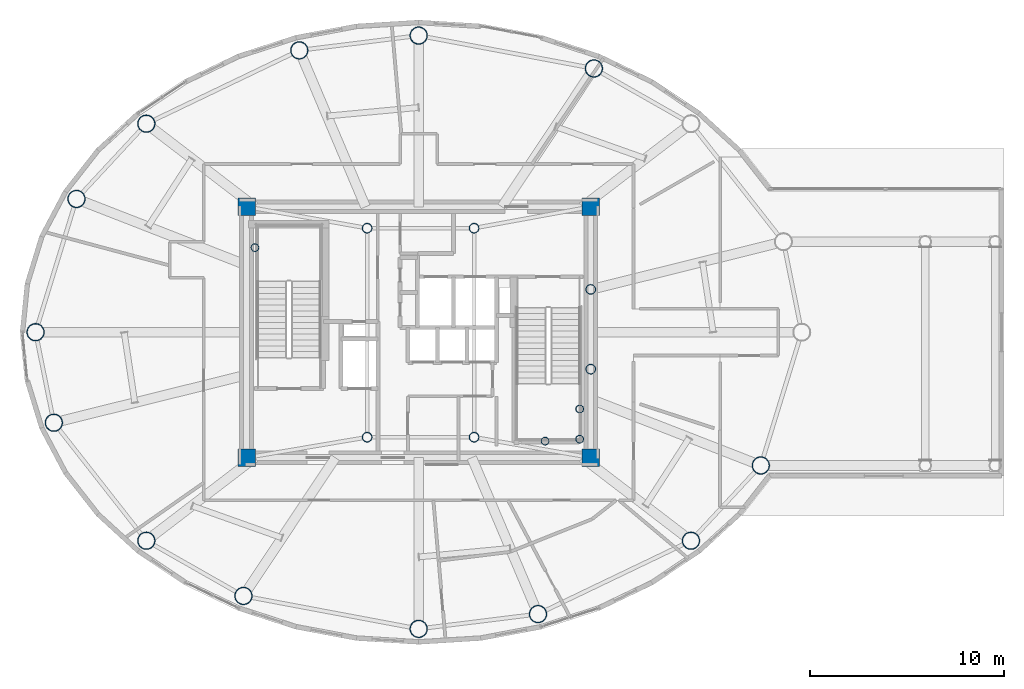
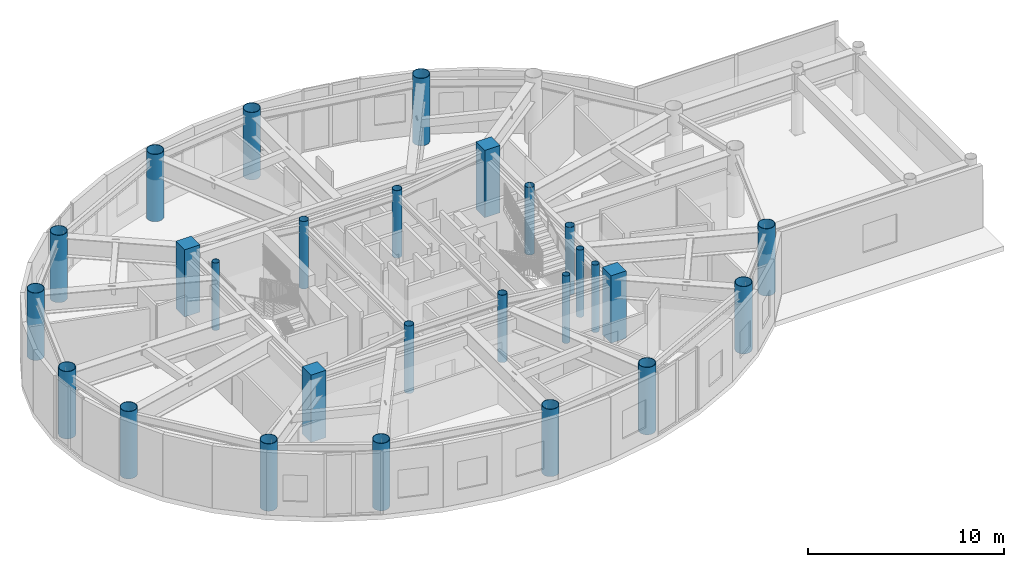
# One storey, part 1 of 26: 27 columns.
"""IFC4 building model written with IfcOpenShell, lengths in metres."""

from ifc_helpers import new_model, si_unit, direction, frame, origin, origin_2d, place, context, subcontext, project, spatial, rectangle, hollow_circle, extrude, material, material_profile, profile_set, type_object, element, save


model = new_model("IFC4")

# Units and contexts
model_context = context("Model", 3, precision=1e-05, world=origin(), true_north=direction((0.0, 1.0)))
body_context = subcontext(model_context, "Body", "Model", "MODEL_VIEW")
ifc_project = project(units=[si_unit("LENGTHUNIT", "METRE"), si_unit("AREAUNIT", "SQUARE_METRE"), si_unit("VOLUMEUNIT", "CUBIC_METRE"), si_unit("PLANEANGLEUNIT", "RADIAN"), si_unit("MASSUNIT", "GRAM", prefix="KILO")], contexts=[model_context])

# Site, building, storey
site_placement = place(None, origin())
site = spatial("IfcSite", under=ifc_project, at=site_placement, CompositionType="ELEMENT")
building_placement = place(site_placement, origin())
building = spatial("IfcBuilding", under=site, at=building_placement, Name="Linh Dai School and Residence Tower", CompositionType="ELEMENT")
storey_placement = place(building_placement, frame((0.0, 0.0, 346.800048828125)))
storey = spatial("IfcBuildingStorey", under=building, at=storey_placement, Name="L86", CompositionType="ELEMENT", Elevation=346.800048828125)

# Columns
ifc_material_1 = material(Name="Concrete B45 (C35/45)", Category="concrete")
ifc_material_profile_1 = material_profile(ifc_material_1, rectangle(XDim=0.89990234375, YDim=0.89990234375, at=origin_2d()), Name="RC 900x900")
ifc_profile_set_1 = profile_set([ifc_material_profile_1], Name="Concrete B45 (C35/45)")
column_type_1 = type_object("IfcColumnType", Name="COL-CC4", PredefinedType="COLUMN", material=ifc_profile_set_1)
for number, where, z_axis, x_axis, name in (
    (1, (27.14990234375, 20.550048828125, 0.0), (0.0, 0.0, 1.0), (1.0, 0.0, 0.0), "L86 Core Corner Pier CC1"),
    (2, (44.85009765625, 20.550048828125, 0.0), (0.0, 0.0, 1.0), (1.0, 0.0, 0.0), "L86 Core Corner Pier CC2"),
    (3, (44.85009765625, 33.449951171875, 0.0), (0.0, 0.0, 1.0), (1.0, 0.0, 0.0), "L86 Core Corner Pier CC3"),
    (4, (27.14990234375, 33.449951171875, 0.0), (0.0, 0.0, 1.0), (1.0, 0.0, 0.0), "L86 Core Corner Pier CC4"),
):
    element("IfcColumn", number, at=place(storey_placement, frame(where, z_axis=z_axis, x_axis=x_axis)), inside=storey, type_object=column_type_1, Name=name, PredefinedType="COLUMN", context=body_context, shape_type="SweptSolid", body=[
        extrude(rectangle(XDim=0.89990234375, YDim=0.89990234375, at=origin_2d()), origin(), (0.0, 0.0, 1.0), 4.199951171875),
    ])
ifc_material_2 = material(Name="Structural Steel S355JR", Category="steel")
ifc_material_profile_2 = material_profile(ifc_material_2, hollow_circle(Radius=0.203125, WallThickness=0.01611328125, at=origin_2d()), Name="CHS 406.4x16")
ifc_profile_set_2 = profile_set([ifc_material_profile_2], Name="Structural Steel S355JR")
column_type_2 = type_object("IfcColumnType", Name="COL-EC", PredefinedType="COLUMN", material=ifc_profile_set_2)
for number, where, z_axis, x_axis, name in (
    (5, (27.580078125, 31.35009765625, 0.0), (0.0, 0.0, 1.0), (1.0, 0.0, 0.0), "L86 Stair Shaft Landing Support Pier ST1NW"),
    (6, (44.280029296875, 21.5, 0.0), (0.0, 0.0, 1.0), (1.0, 0.0, 0.0), "L86 Stair Shaft Landing Support Pier ST2SE"),
    (7, (44.280029296875, 23.050048828125, 0.0), (0.0, 0.0, 1.0), (1.0, 0.0, 0.0), "L86 Stair Shaft Landing Support Pier ST2NE"),
    (8, (42.5, 21.39990234375, 0.0), (0.0, 0.0, 1.0), (1.0, 0.0, 0.0), "L86 Stair Shaft Landing Support Pier ST2MS"),
):
    element("IfcColumn", number, at=place(storey_placement, frame(where, z_axis=z_axis, x_axis=x_axis)), inside=storey, type_object=column_type_2, Name=name, PredefinedType="COLUMN", context=body_context, shape_type="SweptSolid", body=[
        extrude(hollow_circle(Radius=0.203125, WallThickness=0.01611328125, at=origin_2d()), origin(), (0.0, 0.0, 1.0), 4.199951171875),
    ])
ifc_material_profile_3 = material_profile(ifc_material_2, hollow_circle(Radius=0.449951171875, WallThickness=0.028076171875, at=origin_2d()), Name="CHS 900x28")
ifc_profile_set_3 = profile_set([ifc_material_profile_3], Name="Structural Steel S355JR")
column_type_3 = type_object("IfcColumnType", Name="COL-MC7", PredefinedType="COLUMN", material=ifc_profile_set_3)
for number, where, z_axis, x_axis, name in (
    (9, (45.01025390625, 40.56201171875, 0.0), (0.0, 0.0, 1.0), (1.0, 0.0, 0.0), "L86 Perimeter CFT Mega-Column MC04"),
    (10, (36.0, 42.2548828125, 0.0), (0.0, 0.0, 1.0), (1.0, 0.0, 0.0), "L86 Perimeter CFT Mega-Column MC05"),
    (11, (29.862548828125, 41.493896484375, 0.0), (0.0, 0.0, 1.0), (1.0, 0.0, 0.0), "L86 Perimeter CFT Mega-Column MC06"),
    (12, (21.99755859375, 37.72265625, 0.0), (0.0, 0.0, 1.0), (1.0, 0.0, 0.0), "L86 Perimeter CFT Mega-Column MC07"),
    (13, (18.405029296875, 33.8525390625, 0.0), (0.0, 0.0, 1.0), (1.0, 0.0, 0.0), "L86 Perimeter CFT Mega-Column MC08"),
    (14, (16.300048828125, 27.0, 0.0), (0.0, 0.0, 1.0), (1.0, 0.0, 0.0), "L86 Perimeter CFT Mega-Column MC09"),
    (15, (17.2421875, 22.34521484375, 0.0), (0.0, 0.0, 1.0), (1.0, 0.0, 0.0), "L86 Perimeter CFT Mega-Column MC10"),
    (16, (21.99755859375, 16.27734375, 0.0), (0.0, 0.0, 1.0), (1.0, 0.0, 0.0), "L86 Perimeter CFT Mega-Column MC11"),
    (17, (26.98974609375, 13.43798828125, 0.0), (0.0, 0.0, 1.0), (1.0, 0.0, 0.0), "L86 Perimeter CFT Mega-Column MC12"),
    (18, (36.0, 11.7451171875, 0.0), (0.0, 0.0, 1.0), (1.0, 0.0, 0.0), "L86 Perimeter CFT Mega-Column MC13"),
    (19, (42.137451171875, 12.506103515625, 0.0), (0.0, 0.0, 1.0), (1.0, 0.0, 0.0), "L86 Perimeter CFT Mega-Column MC14"),
    (20, (50.00244140625, 16.27734375, 0.0), (0.0, 0.0, 1.0), (1.0, 0.0, 0.0), "L86 Perimeter CFT Mega-Column MC15"),
    (21, (53.594970703125, 20.1474609375, 0.0), (0.0, 0.0, 1.0), (1.0, 0.0, 0.0), "L86 Perimeter CFT Mega-Column MC16"),
):
    element("IfcColumn", number, at=place(storey_placement, frame(where, z_axis=z_axis, x_axis=x_axis)), inside=storey, type_object=column_type_3, Name=name, PredefinedType="COLUMN", context=body_context, shape_type="SweptSolid", body=[
        extrude(hollow_circle(Radius=0.449951171875, WallThickness=0.028076171875, at=origin_2d()), origin(), (0.0, 0.0, 1.0), 4.199951171875),
    ])
ifc_material_profile_4 = material_profile(ifc_material_2, hollow_circle(Radius=0.25390625, WallThickness=0.02001953125, at=origin_2d()), Name="CHS 508x20")
ifc_profile_set_4 = profile_set([ifc_material_profile_4], Name="Structural Steel S355JR")
column_type_4 = type_object("IfcColumnType", Name="COL-MCP", PredefinedType="COLUMN", material=ifc_profile_set_4)
for number, where, z_axis, x_axis, name in (
    (22, (33.35009765625, 21.60009765625, 0.0), (0.0, 0.0, 1.0), (1.0, 0.0, 0.0), "L86 Core Mast Support Pier MCP1"),
    (23, (38.85009765625, 21.60009765625, 0.0), (0.0, 0.0, 1.0), (1.0, 0.0, 0.0), "L86 Core Mast Support Pier MCP2"),
    (24, (38.85009765625, 32.35009765625, 0.0), (0.0, 0.0, 1.0), (1.0, 0.0, 0.0), "L86 Core Mast Support Pier MCP3"),
    (25, (33.35009765625, 32.35009765625, 0.0), (0.0, 0.0, 1.0), (1.0, 0.0, 0.0), "L86 Core Mast Support Pier MCP4"),
    (26, (44.85009765625, 25.10009765625, 0.0), (0.0, 0.0, 1.0), (1.0, 0.0, 0.0), "L86 Sky-Lounge Core Anchor Pier S"),
    (27, (44.85009765625, 29.199951171875, 0.0), (0.0, 0.0, 1.0), (1.0, 0.0, 0.0), "L86 Sky-Lounge Core Anchor Pier N"),
):
    element("IfcColumn", number, at=place(storey_placement, frame(where, z_axis=z_axis, x_axis=x_axis)), inside=storey, type_object=column_type_4, Name=name, PredefinedType="COLUMN", context=body_context, shape_type="SweptSolid", body=[
        extrude(hollow_circle(Radius=0.25390625, WallThickness=0.02001953125, at=origin_2d()), origin(), (0.0, 0.0, 1.0), 4.199951171875),
    ])

save(model, "model.ifc")
